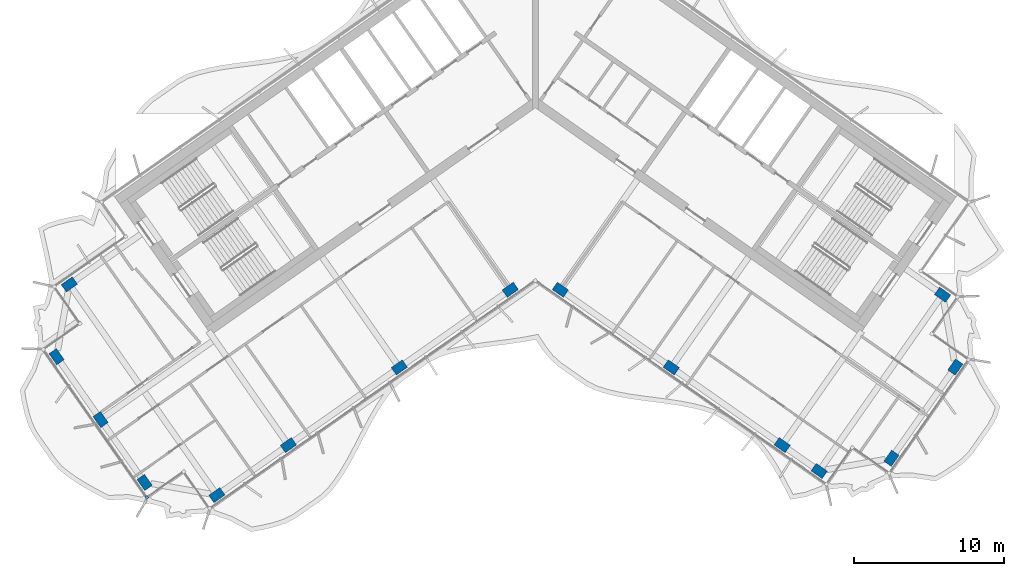
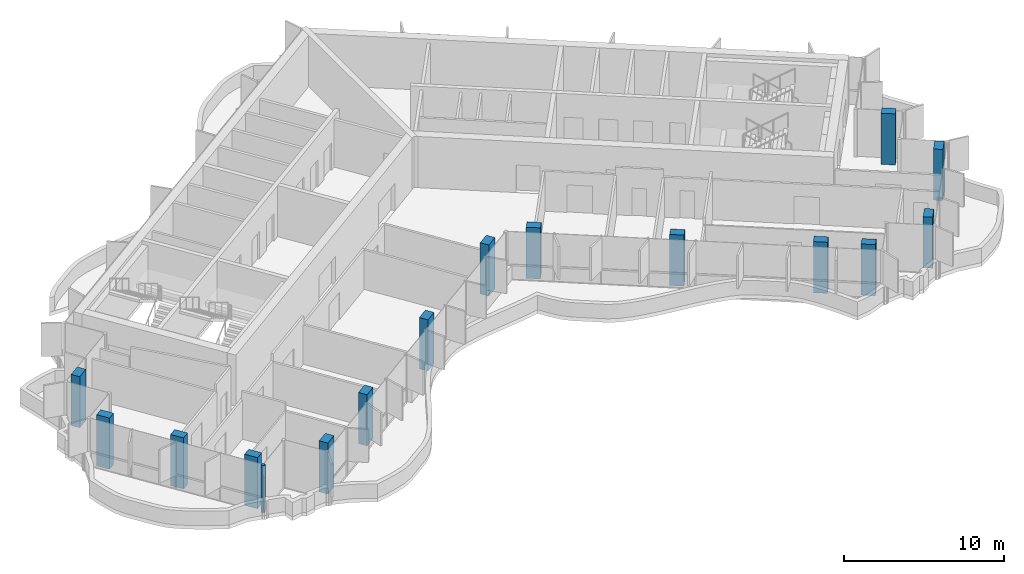
# One storey, part 1 of 17: 15 columns, 1 member, 1 element without a shape of its own.
"""IFC4 building model written with IfcOpenShell, lengths in metres."""

from ifc_helpers import new_model, si_unit, direction, frame, origin, origin_2d, place, context, subcontext, project, spatial, rectangle, extrude, material, material_profile, profile_set, type_object, element, aggregate, save


model = new_model("IFC4")

# Units and contexts
model_context = context("Model", 3, precision=1e-05, world=origin(), true_north=direction((0.0, 1.0)))
body_context = subcontext(model_context, "Body", "Model", "MODEL_VIEW")
ifc_project = project(units=[si_unit("LENGTHUNIT", "METRE"), si_unit("AREAUNIT", "SQUARE_METRE"), si_unit("VOLUMEUNIT", "CUBIC_METRE"), si_unit("PLANEANGLEUNIT", "RADIAN"), si_unit("MASSUNIT", "GRAM", prefix="KILO")], contexts=[model_context])

# Site, building, storey
site_placement = place(None, origin())
site = spatial("IfcSite", under=ifc_project, at=site_placement, CompositionType="ELEMENT")
building_placement = place(site_placement, origin())
building = spatial("IfcBuilding", under=site, at=building_placement, Name="Tel Ilan Convention Tower", CompositionType="ELEMENT")
storey_placement = place(building_placement, frame((0.0, 0.0, 280.0)))
storey = spatial("IfcBuildingStorey", under=building, at=storey_placement, Name="L66", CompositionType="ELEMENT", Elevation=280.0)

# Columns
ifc_material_1 = material(Name="Concrete C40/50", Category="concrete")
ifc_material_profile_1 = material_profile(ifc_material_1, rectangle(XDim=0.89990234375, YDim=0.60009765625, at=origin_2d()), Name="RC 600x900")
ifc_profile_set_1 = profile_set([ifc_material_profile_1], Name="Concrete C40/50")
column_type = type_object("IfcColumnType", Name="Column RC 600x900 C40/50", PredefinedType="COLUMN", material=ifc_profile_set_1)
for number, where, z_axis, x_axis, name in (
    (1, (-1.665283203125, -13.312744140625, 0.0), (0.0, 0.0, 1.0), (-0.819152044289, -0.573576436351, 0.0), "L66 column W-F1"),
    (2, (-9.03759765625, -18.474853515625, 0.0), (0.0, 0.0, 1.0), (-0.819152044289, -0.573576436351, 0.0), "L66 column W-F2"),
    (3, (-16.409912109375, -23.63720703125, 0.0), (0.0, 0.0, 1.0), (-0.819152044289, -0.573576436351, 0.0), "L66 column W-F3"),
    (4, (-21.1611328125, -26.9638671875, 0.0), (0.0, 0.0, 1.0), (-0.819152044289, -0.573576436351, 0.0), "L66 column W-FC"),
    (5, (-30.96923828125, -12.956298828125, 0.0), (0.0, 0.0, 1.0), (-0.819152044289, -0.573576436351, 0.0), "L66 column W-BC"),
    (6, (-25.966064453125, -26.11669921875, 0.0), (0.0, 0.0, 1.0), (-0.573576436351, 0.819152044289, 0.0), "L66 column W-E1"),
    (7, (-28.891357421875, -21.93896484375, 0.0), (0.0, 0.0, 1.0), (-0.573576436351, 0.819152044289, 0.0), "L66 column W-E2"),
    (8, (-31.81640625, -17.76123046875, 0.0), (0.0, 0.0, 1.0), (-0.573576436351, 0.819152044289, 0.0), "L66 column W-E3"),
    (9, (1.665283203125, -13.312744140625, 0.0), (0.0, 0.0, 1.0), (0.819152044289, -0.573576436351, 0.0), "L66 column E-F1"),
    (10, (9.03759765625, -18.474853515625, 0.0), (0.0, 0.0, 1.0), (0.819152044289, -0.573576436351, 0.0), "L66 column E-F2"),
    (11, (16.409912109375, -23.63720703125, 0.0), (0.0, 0.0, 1.0), (0.819152044289, -0.573576436351, 0.0), "L66 column E-F3"),
    (12, (18.867431640625, -25.35791015625, 0.0), (0.0, 0.0, 1.0), (0.819152044289, -0.573576436351, 0.0), "L66 column E-FC"),
    (13, (27.069580078125, -13.64404296875, 0.0), (0.0, 0.0, 1.0), (0.819152044289, -0.573576436351, 0.0), "L66 column E-BC"),
    (14, (23.67236328125, -24.510498046875, 0.0), (0.0, 0.0, 1.0), (0.573576436351, 0.819152044289, 0.0), "L66 column E-E1"),
    (15, (27.9169921875, -18.448974609375, 0.0), (0.0, 0.0, 1.0), (0.573576436351, 0.819152044289, 0.0), "L66 column E-E2"),
):
    element("IfcColumn", number, at=place(storey_placement, frame(where, z_axis=z_axis, x_axis=x_axis)), inside=storey, type_object=column_type, Name=name, PredefinedType="COLUMN", context=body_context, shape_type="SweptSolid", body=[
        extrude(rectangle(XDim=0.89990234375, YDim=0.60009765625, at=origin_2d()), origin(), (0.0, 0.0, 1.0), 3.89990234375),
    ])

# Curtain wall, member
ifc_material_2 = material(Name="Aluminium, bronze anodised", Category="aluminium")
curtain_wall_type = type_object("IfcCurtainWallType", Name="CW5 STICK CURTAIN WALL, UPPER OFFICE LOW-IRON TINTED GLASS", PredefinedType="NOTDEFINED", material=ifc_material_2)
curtain_wall_placement = place(storey_placement, origin())
curtain_wall = element("IfcCurtainWall", 16, at=curtain_wall_placement, inside=storey, type_object=curtain_wall_type, Name="Curtain wall CW5-50.02", PredefinedType="NOTDEFINED")
ifc_material_3 = material(Name="Aluminium, bronze anodised", Category="aluminium")
ifc_material_profile_2 = material_profile(ifc_material_3, rectangle(XDim=0.199951171875, YDim=0.199951171875, at=origin_2d()), Name="CW CORNER MULLION 200x200")
ifc_profile_set_2 = profile_set([ifc_material_profile_2], Name="Aluminium, bronze anodised")
member_type = type_object("IfcMemberType", Name="CW CORNER MULLION 200x200", PredefinedType="MULLION", material=ifc_profile_set_2)
member_placement = place(storey_placement, frame((-25.818359375, -27.112060546875, 0.0), z_axis=(0.0, 0.0, 1.0), x_axis=(0.573576436351, -0.819152044289, 0.0)))
member = element("IfcMember", 17, at=member_placement, type_object=member_type, Name="Corner mullion", PredefinedType="MULLION", context=body_context, shape_type="SweptSolid", body=[
    extrude(rectangle(XDim=0.199951171875, YDim=0.199951171875, at=origin_2d()), origin(), (0.0, 0.0, 1.0), 3.6201171875),
])
aggregate(curtain_wall, [member])

save(model, "model.ifc")
